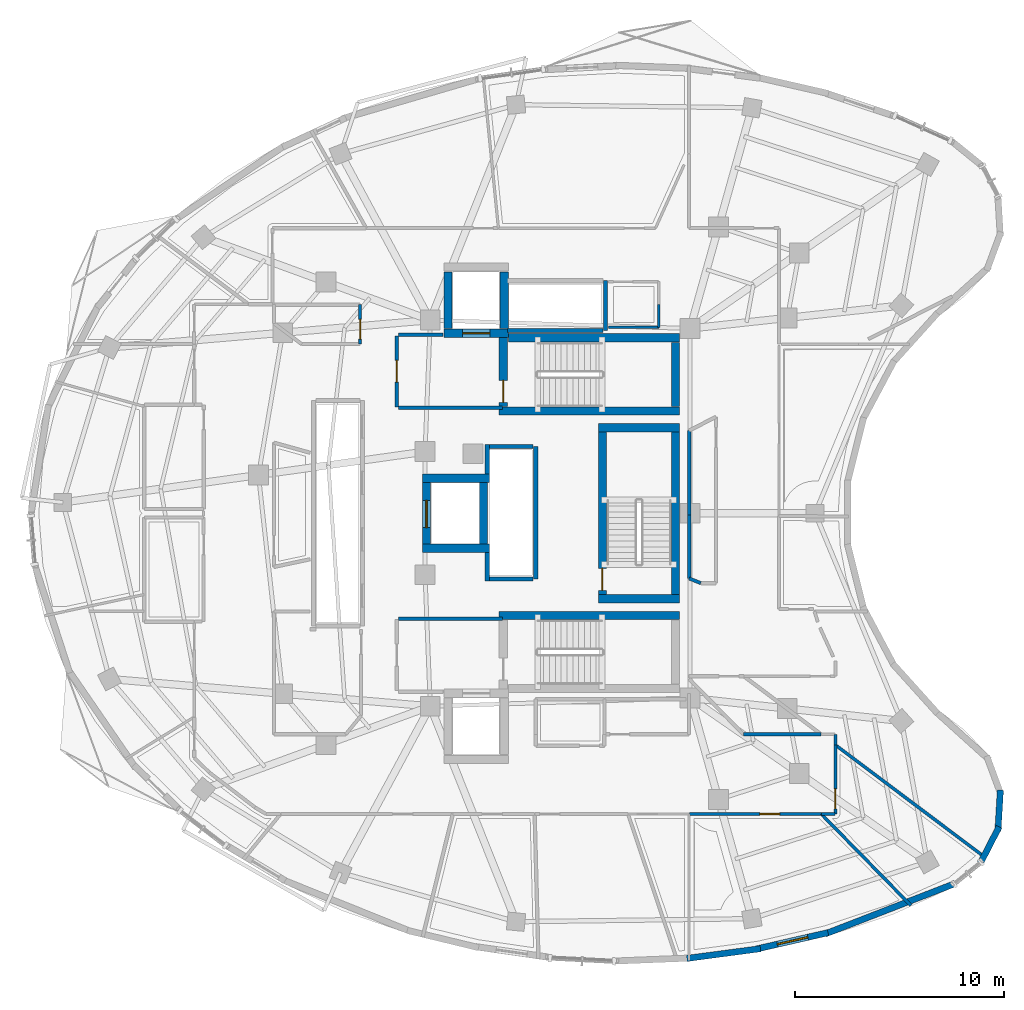
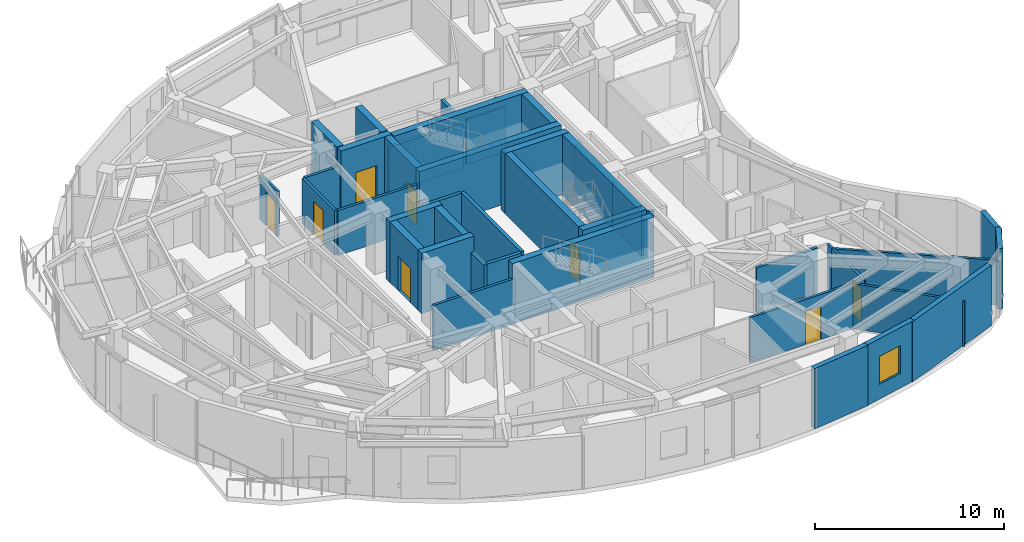
# One storey, part 9 of 14: 45 walls, 8 doors, 1 window, 9 openings.
"""IFC4 building model written with IfcOpenShell, lengths in metres."""

from ifc_helpers import new_model, si_unit, direction, frame, frame_2d, origin, place, context, subcontext, project, spatial, rectangle, extrude, material, layer, layer_set, type_object, element, fill, save


model = new_model("IFC4")

# Units and contexts
model_context = context("Model", 3, precision=1e-05, world=origin(), true_north=direction((0.0, 1.0)))
body_context = subcontext(model_context, "Body", "Model", "MODEL_VIEW")
ifc_project = project(units=[si_unit("LENGTHUNIT", "METRE"), si_unit("AREAUNIT", "SQUARE_METRE"), si_unit("VOLUMEUNIT", "CUBIC_METRE"), si_unit("PLANEANGLEUNIT", "RADIAN"), si_unit("MASSUNIT", "GRAM", prefix="KILO")], contexts=[model_context])

# Site, building, storey
site_placement = place(None, origin())
site = spatial("IfcSite", under=ifc_project, at=site_placement, CompositionType="ELEMENT")
building_placement = place(site_placement, origin())
building = spatial("IfcBuilding", under=site, at=building_placement, Name="Korentha Bioscience Tower", CompositionType="ELEMENT")
storey_placement = place(building_placement, frame((0.0, 0.0, 252.0)))
storey = spatial("IfcBuildingStorey", under=building, at=storey_placement, Name="L58", CompositionType="ELEMENT", Elevation=252.0)

# Wall, opening, door
ifc_material_1 = material(Name="Double-Stud Acoustic Gypsum", Category="gypsum")
ifc_layer_1 = layer(ifc_material_1, 0.14990234375, Name="Double-Stud Acoustic Gypsum")
ifc_layer_set_1 = layer_set([ifc_layer_1], Name="Double-Stud Acoustic Gypsum (IW-L150)")
wall_type_1 = type_object("IfcWallType", Name="Acoustic Laboratory Partition Wall 150", PredefinedType="PARTITIONING", material=ifc_layer_set_1)
wall_1_placement = place(storey_placement, frame((37.508056640625, 12.590087890625, 0.0), z_axis=(0.0, 0.0, 1.0), x_axis=(1.0, 0.0, 0.0)))
wall_1 = element("IfcWall", 1, at=wall_1_placement, inside=storey, type_object=wall_type_1, Name="L58 Daylight Break and Coffee Bar 09 Entrance Wall", PredefinedType="PARTITIONING", context=body_context, shape_type="SweptSolid", body=[
    extrude(rectangle(XDim=6.325439453125, YDim=0.14990234375, at=frame_2d((3.16259765625, 0.0))), origin(), (0.0, 0.0, 1.0), 2.909912109375),
])
opening_1_placement = place(wall_1_placement, frame((3.37744140625, 0.0, 0.0)))
opening_1 = element("IfcOpeningElement", 2, at=opening_1_placement, cuts=wall_1, Name="Opening ID-10L", PredefinedType="OPENING", context=body_context, shape_type="SweptSolid", body=[
    extrude(rectangle(XDim=0.949951171875, YDim=2.14990234375, at=frame_2d((0.47509765625, 1.074951171875))), frame((0.0, 0.08984375, 0.0), z_axis=(0.0, -1.0, 0.0), x_axis=(1.0, 0.0, 0.0)), (0.0, 0.0, 1.0), 0.1796875),
])
ifc_material_2 = material(Name="Phenolic Laminate Timber Core", Category="wood")
door_type_1 = type_object("IfcDoorType", Name="Laboratory Single Leaf Door 950x2150 Left", OperationType="SINGLE_SWING_LEFT", PredefinedType="DOOR", material=ifc_material_2)
door_1_placement = place(opening_1_placement, origin())
door_1 = element("IfcDoor", 3, at=door_1_placement, inside=storey, type_object=door_type_1, Name="L58 Daylight Break and Coffee Bar 09 Door", OperationType="SINGLE_SWING_LEFT", OverallHeight=2.14990234375, OverallWidth=0.949951171875, PredefinedType="DOOR", context=body_context, shape_type="SweptSolid", body=[
    extrude(rectangle(XDim=0.949951171875, YDim=2.14990234375, at=frame_2d((0.47509765625, 1.074951171875))), frame((0.0, 0.02490234375, 0.0), z_axis=(0.0, -1.0, 0.0), x_axis=(1.0, 0.0, 0.0)), (0.0, 0.0, 1.0), 0.050048828125),
])
fill(opening_1, door_1)

wall_2_placement = place(storey_placement, frame((44.510009765625, 12.60009765625, 0.0), z_axis=(0.0, 0.0, 1.0), x_axis=(0.0, 1.0, 0.0)))
wall_2 = element("IfcWall", 4, at=wall_2_placement, inside=storey, type_object=wall_type_1, Name="L58 Immunology Flow-Cytometry Laboratory 11 Entrance Wall", PredefinedType="PARTITIONING", context=body_context, shape_type="SweptSolid", body=[
    extrude(rectangle(XDim=3.296630859375, YDim=0.14990234375, at=frame_2d((1.6484375, 0.0))), origin(), (0.0, 0.0, 1.0), 2.909912109375),
])
opening_2_placement = place(wall_2_placement, frame((0.239990234375, 0.0, 0.0)))
opening_2 = element("IfcOpeningElement", 5, at=opening_2_placement, cuts=wall_2, Name="Opening ID-10L", PredefinedType="OPENING", context=body_context, shape_type="SweptSolid", body=[
    extrude(rectangle(XDim=0.949951171875, YDim=2.14990234375, at=frame_2d((0.47509765625, 1.074951171875))), frame((0.0, 0.08984375, 0.0), z_axis=(0.0, -1.0, 0.0), x_axis=(1.0, 0.0, 0.0)), (0.0, 0.0, 1.0), 0.1796875),
])
door_2_placement = place(opening_2_placement, origin())
door_2 = element("IfcDoor", 6, at=door_2_placement, inside=storey, type_object=door_type_1, Name="L58 Immunology Flow-Cytometry Laboratory 11 Door", OperationType="SINGLE_SWING_LEFT", OverallHeight=2.14990234375, OverallWidth=0.949951171875, PredefinedType="DOOR", context=body_context, shape_type="SweptSolid", body=[
    extrude(rectangle(XDim=0.949951171875, YDim=2.14990234375, at=frame_2d((0.47509765625, 1.074951171875))), frame((0.0, 0.02490234375, 0.0), z_axis=(0.0, -1.0, 0.0), x_axis=(1.0, 0.0, 0.0)), (0.0, 0.0, 1.0), 0.050048828125),
])
fill(opening_2, door_2)

wall_3_placement = place(storey_placement, frame((21.739990234375, 36.989990234375, 0.0), z_axis=(0.0, 0.0, 1.0), x_axis=(0.0, -1.0, 0.0)))
wall_3 = element("IfcWall", 7, at=wall_3_placement, inside=storey, type_object=wall_type_1, Name="L58 Immunology Flow-Cytometry Laboratory 20 Entrance Wall", PredefinedType="PARTITIONING", context=body_context, shape_type="SweptSolid", body=[
    extrude(rectangle(XDim=1.887939453125, YDim=0.14990234375, at=frame_2d((0.94384765625, 0.0))), origin(), (0.0, 0.0, 1.0), 2.909912109375),
])
opening_3_placement = place(wall_3_placement, frame((0.697998046875, 0.0, 0.0)))
opening_3 = element("IfcOpeningElement", 8, at=opening_3_placement, cuts=wall_3, Name="Opening ID-10R", PredefinedType="OPENING", context=body_context, shape_type="SweptSolid", body=[
    extrude(rectangle(XDim=0.949951171875, YDim=2.14990234375, at=frame_2d((0.47509765625, 1.074951171875))), frame((0.0, 0.08984375, 0.0), z_axis=(0.0, -1.0, 0.0), x_axis=(1.0, 0.0, 0.0)), (0.0, 0.0, 1.0), 0.1796875),
])
door_type_2 = type_object("IfcDoorType", Name="Laboratory Single Leaf Door 950x2150 Right", OperationType="SINGLE_SWING_RIGHT", PredefinedType="DOOR", material=ifc_material_2)
door_3_placement = place(opening_3_placement, origin())
door_3 = element("IfcDoor", 9, at=door_3_placement, inside=storey, type_object=door_type_2, Name="L58 Immunology Flow-Cytometry Laboratory 20 Door", OperationType="SINGLE_SWING_RIGHT", OverallHeight=2.14990234375, OverallWidth=0.949951171875, PredefinedType="DOOR", context=body_context, shape_type="SweptSolid", body=[
    extrude(rectangle(XDim=0.949951171875, YDim=2.14990234375, at=frame_2d((0.47509765625, 1.074951171875))), frame((0.0, 0.02490234375, 0.0), z_axis=(0.0, -1.0, 0.0), x_axis=(1.0, 0.0, 0.0)), (0.0, 0.0, 1.0), 0.050048828125),
])
fill(opening_3, door_3)

# Walls
wall_4_placement = place(storey_placement, frame((43.83349609375, 12.590087890625, 0.0), z_axis=(0.0, 0.0, 1.0), x_axis=(0.699668373954, -0.714467750489, 0.0)))
element("IfcWall", 10, at=wall_4_placement, inside=storey, type_object=wall_type_1, Name="L58 Interior Partition 066", PredefinedType="PARTITIONING", context=body_context, shape_type="SweptSolid", body=[
    extrude(rectangle(XDim=6.13671875, YDim=0.14990234375, at=frame_2d((3.068359375, 0.0))), origin(), (0.0, 0.0, 1.0), 2.909912109375),
])
wall_5_placement = place(storey_placement, frame((43.84765625, 12.590087890625, 0.0), z_axis=(0.0, 0.0, 1.0), x_axis=(1.0, 0.0, 0.0)))
element("IfcWall", 11, at=wall_5_placement, inside=storey, type_object=wall_type_1, Name="L58 Interior Partition 070", PredefinedType="PARTITIONING", context=body_context, shape_type="SweptSolid", body=[
    extrude(rectangle(XDim=0.65234375, YDim=0.14990234375, at=frame_2d((0.326171875, 0.0))), origin(), (0.0, 0.0, 1.0), 2.909912109375),
])
wall_6_placement = place(storey_placement, frame((44.510009765625, 15.896728515625, 0.0), z_axis=(0.0, 0.0, 1.0), x_axis=(0.79968453469, -0.600420390209, 0.0)))
element("IfcWall", 12, at=wall_6_placement, inside=storey, type_object=wall_type_1, Name="L58 Interior Partition 071", PredefinedType="PARTITIONING", context=body_context, shape_type="SweptSolid", body=[
    extrude(rectangle(XDim=9.011474609375, YDim=0.14990234375, at=frame_2d((4.505859375, 0.0))), origin(), (0.0, 0.0, 1.0), 2.909912109375),
])
ifc_material_3 = material(Name="Insulated Aluminium Honeycomb Panel", Category="aluminium")
ifc_layer_2 = layer(ifc_material_3, 0.139892578125, Name="Insulated Aluminium Honeycomb Panel")
ifc_layer_set_2 = layer_set([ifc_layer_2], Name="Insulated Aluminium Honeycomb Panel (IW-F60)")
wall_type_2 = type_object("IfcWallType", Name="Cleanroom Flush Metal Panel Partition 140", PredefinedType="PARTITIONING", material=ifc_layer_set_2)
wall_7_placement = place(storey_placement, frame((44.510009765625, 15.90673828125, 0.0), z_axis=(0.0, 0.0, 1.0), x_axis=(0.0, 1.0, 0.0)))
element("IfcWall", 13, at=wall_7_placement, inside=storey, type_object=wall_type_2, Name="L58 Interior Partition 072", PredefinedType="PARTITIONING", context=body_context, shape_type="SweptSolid", body=[
    extrude(rectangle(XDim=0.4931640625, YDim=0.139892578125, at=frame_2d((0.24658203125, 0.0))), origin(), (0.0, 0.0, 1.0), 2.909912109375),
])

# Wall, opening, door
ifc_material_4 = material(Name="Gypsum-Clad Steel Stud", Category="steel")
ifc_layer_3 = layer(ifc_material_4, 0.159912109375, Name="Gypsum-Clad Steel Stud")
ifc_layer_set_3 = layer_set([ifc_layer_3], Name="Gypsum-Clad Steel Stud (IW-C160)")
wall_type_3 = type_object("IfcWallType", Name="Fire-Rated Corridor Partition Wall 160", PredefinedType="PARTITIONING", material=ifc_layer_set_3)
wall_8_placement = place(storey_placement, frame((23.5, 32.10009765625, 0.0), z_axis=(0.0, 0.0, 1.0), x_axis=(0.0, 1.0, 0.0)))
wall_8 = element("IfcWall", 14, at=wall_8_placement, inside=storey, type_object=wall_type_3, Name="L58 FFLN-CW Rated Enclosure Wall", PredefinedType="PARTITIONING", context=body_context, shape_type="SweptSolid", body=[
    extrude(rectangle(XDim=3.39990234375, YDim=0.159912109375, at=frame_2d((1.699951171875, 0.0))), origin(), (0.0, 0.0, 1.0), 2.909912109375),
])
opening_4_placement = place(wall_8_placement, frame((1.175048828125, 0.0, 0.0)))
opening_4 = element("IfcOpeningElement", 15, at=opening_4_placement, cuts=wall_8, Name="Opening FD-90L", PredefinedType="OPENING", context=body_context, shape_type="SweptSolid", body=[
    extrude(rectangle(XDim=1.050048828125, YDim=2.14990234375, at=frame_2d((0.52490234375, 1.074951171875))), frame((0.0, 0.0947265625, 0.0), z_axis=(0.0, -1.0, 0.0), x_axis=(1.0, 0.0, 0.0)), (0.0, 0.0, 1.0), 0.189697265625),
])
ifc_material_5 = material(Name="Powder-Coated Fire-Rated Steel", Category="steel")
door_type_3 = type_object("IfcDoorType", Name="Stairwell Fire Exit Door 1050x2150 Left", OperationType="SINGLE_SWING_LEFT", PredefinedType="DOOR", material=ifc_material_5)
door_4_placement = place(opening_4_placement, origin())
door_4 = element("IfcDoor", 16, at=door_4_placement, inside=storey, type_object=door_type_3, Name="L58 North Firefighting Lobby Door", OperationType="SINGLE_SWING_LEFT", OverallHeight=2.14990234375, OverallWidth=1.050048828125, PredefinedType="DOOR", context=body_context, shape_type="SweptSolid", body=[
    extrude(rectangle(XDim=1.050048828125, YDim=2.14990234375, at=frame_2d((0.52490234375, 1.074951171875))), frame((0.0, 0.02490234375, 0.0), z_axis=(0.0, -1.0, 0.0), x_axis=(1.0, 0.0, 0.0)), (0.0, 0.0, 1.0), 0.050048828125),
])
fill(opening_4, door_4)

# Walls
wall_9_placement = place(storey_placement, frame((23.580078125, 32.050048828125, 0.0), z_axis=(0.0, 0.0, 1.0), x_axis=(1.0, 0.0, 0.0)))
element("IfcWall", 17, at=wall_9_placement, inside=storey, type_object=wall_type_3, Name="L58 Firefighting Lobby Return Wall FFLN-S", PredefinedType="PARTITIONING", context=body_context, shape_type="SweptSolid", body=[
    extrude(rectangle(XDim=4.969970703125, YDim=0.159912109375, at=frame_2d((2.48486328125, 0.0))), origin(), (0.0, 0.0, 1.0), 2.909912109375),
])
wall_10_placement = place(storey_placement, frame((23.580078125, 35.550048828125, 0.0), z_axis=(0.0, 0.0, 1.0), x_axis=(1.0, 0.0, 0.0)))
element("IfcWall", 18, at=wall_10_placement, inside=storey, type_object=wall_type_3, Name="L58 Firefighting Lobby Return Wall FFLN-N", PredefinedType="PARTITIONING", context=body_context, shape_type="SweptSolid", body=[
    extrude(rectangle(XDim=2.119873046875, YDim=0.159912109375, at=frame_2d((1.06005859375, 0.0))), origin(), (0.0, 0.0, 1.0), 2.909912109375),
])
wall_11_placement = place(storey_placement, frame((23.580078125, 21.949951171875, 0.0), z_axis=(0.0, 0.0, 1.0), x_axis=(1.0, 0.0, 0.0)))
element("IfcWall", 19, at=wall_11_placement, inside=storey, type_object=wall_type_3, Name="L58 Firefighting Lobby Return Wall FFLS-N", PredefinedType="PARTITIONING", context=body_context, shape_type="SweptSolid", body=[
    extrude(rectangle(XDim=4.969970703125, YDim=0.159912109375, at=frame_2d((2.48486328125, 0.0))), origin(), (0.0, 0.0, 1.0), 2.909912109375),
])
wall_12_placement = place(storey_placement, frame((43.826416015625, 16.409912109375, 0.0), z_axis=(0.0, 0.0, 1.0), x_axis=(-1.0, 0.0, 0.0)))
element("IfcWall", 20, at=wall_12_placement, inside=storey, type_object=wall_type_3, Name="L58 Interior Partition 068", PredefinedType="PARTITIONING", context=body_context, shape_type="SweptSolid", body=[
    extrude(rectangle(XDim=3.72802734375, YDim=0.159912109375, at=frame_2d((1.864013671875, 0.0))), origin(), (0.0, 0.0, 1.0), 2.909912109375),
])
wall_13_placement = place(storey_placement, frame((37.501953125, 26.920654296875, 0.0), z_axis=(0.0, 0.0, 1.0), x_axis=(0.0, 1.0, 0.0)))
element("IfcWall", 21, at=wall_13_placement, inside=storey, type_object=wall_type_3, Name="L58 Interior Partition 080", PredefinedType="PARTITIONING", context=body_context, shape_type="SweptSolid", body=[
    extrude(rectangle(XDim=4.03955078125, YDim=0.159912109375, at=frame_2d((2.019775390625, 0.0))), origin(), (0.0, 0.0, 1.0), 2.909912109375),
])
wall_14_placement = place(storey_placement, frame((38.058837890625, 23.652099609375, 0.0), z_axis=(0.0, 0.0, 1.0), x_axis=(-0.92791427864, 0.372793631243, 0.0)))
element("IfcWall", 22, at=wall_14_placement, inside=storey, type_object=wall_type_3, Name="L58 Interior Partition 083", PredefinedType="PARTITIONING", context=body_context, shape_type="SweptSolid", body=[
    extrude(rectangle(XDim=0.599853515625, YDim=0.159912109375, at=frame_2d((0.2998046875, 0.0))), origin(), (0.0, 0.0, 1.0), 2.909912109375),
])
wall_15_placement = place(storey_placement, frame((37.501953125, 23.8759765625, 0.0), z_axis=(0.0, 0.0, 1.0), x_axis=(0.0, 1.0, 0.0)))
element("IfcWall", 23, at=wall_15_placement, inside=storey, type_object=wall_type_3, Name="L58 Interior Partition 084", PredefinedType="PARTITIONING", context=body_context, shape_type="SweptSolid", body=[
    extrude(rectangle(XDim=3.04052734375, YDim=0.159912109375, at=frame_2d((1.520263671875, 0.0))), origin(), (0.0, 0.0, 1.0), 2.909912109375),
])

# Wall, opening, window
ifc_material_6 = material(Name="Honed Limestone Precast Concrete C40", Category="masonry")
ifc_layer_4 = layer(ifc_material_6, 0.300048828125, Name="Honed Limestone Precast Concrete C40")
ifc_layer_set_4 = layer_set([ifc_layer_4], Name="Honed Limestone Precast Concrete C40 (EW-ST300)")
wall_type_4 = type_object("IfcWallType", Name="Honed Limestone Cavity Spandrel Wall 300", PredefinedType="STANDARD", material=ifc_layer_set_4)
wall_16_placement = place(storey_placement, frame((40.763427734375, 6.130615234375, 0.0), z_axis=(0.0, 0.0, 1.0), x_axis=(0.974814062394, 0.223019155589, 0.0)))
wall_16 = element("IfcWall", 24, at=wall_16_placement, inside=storey, type_object=wall_type_4, Name="L58 Honed Limestone Spandrel Wall 34", PredefinedType="STANDARD", context=body_context, shape_type="SweptSolid", body=[
    extrude(rectangle(XDim=3.47900390625, YDim=0.300048828125, at=frame_2d((1.739501953125, 0.0))), origin(), (0.0, 0.0, 1.0), 3.89990234375),
])
opening_5_placement = place(wall_16_placement, frame((0.989501953125, 0.0, 0.949951171875)))
opening_5 = element("IfcOpeningElement", 25, at=opening_5_placement, cuts=wall_16, Name="Opening WN-02", PredefinedType="OPENING", context=body_context, shape_type="SweptSolid", body=[
    extrude(rectangle(XDim=1.5, YDim=1.800048828125, at=frame_2d((0.75, 0.89990234375))), frame((0.0, 0.1650390625, 0.0), z_axis=(0.0, -1.0, 0.0), x_axis=(1.0, 0.0, 0.0)), (0.0, 0.0, 1.0), 0.329833984375),
])
ifc_material_7 = material(Name="Thermally Broken Aluminium Triple Glazing", Category="aluminium")
window_type = type_object("IfcWindowType", Name="Acoustic Operable Office Window 1500x1800", PartitioningType="DOUBLE_PANEL_VERTICAL", PredefinedType="WINDOW", material=ifc_material_7)
window_placement = place(opening_5_placement, origin())
window = element("IfcWindow", 26, at=window_placement, inside=storey, type_object=window_type, Name="L58 Facade Window 34", OverallHeight=1.800048828125, OverallWidth=1.5, PartitioningType="DOUBLE_PANEL_VERTICAL", PredefinedType="WINDOW", context=body_context, shape_type="SweptSolid", body=[
    extrude(rectangle(XDim=1.5, YDim=1.800048828125, at=frame_2d((0.75, 0.89990234375))), frame((0.0, 0.030029296875, 0.0), z_axis=(0.0, -1.0, 0.0), x_axis=(1.0, 0.0, 0.0)), (0.0, 0.0, 1.0), 0.06005859375),
])
fill(opening_5, window)

# Walls
wall_17_placement = place(storey_placement, frame((37.390869140625, 5.670654296875, 0.0), z_axis=(0.0, 0.0, 1.0), x_axis=(0.991358046751, 0.131183928672, 0.0)))
element("IfcWall", 27, at=wall_17_placement, inside=storey, type_object=wall_type_4, Name="L58 Limestone Perimeter Closure Wall 33", PredefinedType="STANDARD", context=body_context, shape_type="SweptSolid", body=[
    extrude(rectangle(XDim=3.558349609375, YDim=0.300048828125, at=frame_2d((1.779296875, 0.0))), origin(), (0.0, 0.0, 1.0), 3.89990234375),
])
wall_18_placement = place(storey_placement, frame((44.006591796875, 6.838623046875, 0.0), z_axis=(0.0, 0.0, 1.0), x_axis=(0.932143156112, 0.362089956383, 0.0)))
element("IfcWall", 28, at=wall_18_placement, inside=storey, type_object=wall_type_4, Name="L58 Limestone Perimeter Closure Wall 35", PredefinedType="STANDARD", context=body_context, shape_type="SweptSolid", body=[
    extrude(rectangle(XDim=6.679931640625, YDim=0.300048828125, at=frame_2d((3.33984375, 0.0))), origin(), (0.0, 0.0, 1.0), 3.89990234375),
])
wall_19_placement = place(storey_placement, frame((51.45263671875, 10.227783203125, 0.0), z_axis=(0.0, 0.0, 1.0), x_axis=(0.45760880089, 0.889153634277, 0.0)))
element("IfcWall", 29, at=wall_19_placement, inside=storey, type_object=wall_type_4, Name="L58 Limestone Perimeter Closure Wall 38", PredefinedType="STANDARD", context=body_context, shape_type="SweptSolid", body=[
    extrude(rectangle(XDim=1.967041015625, YDim=0.300048828125, at=frame_2d((0.9833984375, 0.0))), origin(), (0.0, 0.0, 1.0), 3.89990234375),
])
wall_20_placement = place(storey_placement, frame((52.2958984375, 11.770263671875, 0.0), z_axis=(0.0, 0.0, 1.0), x_axis=(0.060191547909, 0.998186845015, 0.0)))
element("IfcWall", 30, at=wall_20_placement, inside=storey, type_object=wall_type_4, Name="L58 Limestone Perimeter Closure Wall 39", PredefinedType="STANDARD", context=body_context, shape_type="SweptSolid", body=[
    extrude(rectangle(XDim=1.96728515625, YDim=0.300048828125, at=frame_2d((0.983642578125, 0.0))), origin(), (0.0, 0.0, 1.0), 3.89990234375),
])
ifc_material_8 = material(Name="Autoclaved Aerated Concrete Block C25", Category="concrete")
ifc_layer_5 = layer(ifc_material_8, 0.199951171875, Name="Autoclaved Aerated Concrete Block C25")
ifc_layer_set_5 = layer_set([ifc_layer_5], Name="Autoclaved Aerated Concrete Block C25 (IW-S200)")
wall_type_5 = type_object("IfcWallType", Name="Lift and Riser Shaft Enclosure Wall 200", PredefinedType="PARTITIONING", material=ifc_layer_set_5)
wall_21_placement = place(storey_placement, frame((27.830078125, 23.75, 0.0), z_axis=(0.0, 0.0, 1.0), x_axis=(0.0, 1.0, 0.0)))
element("IfcWall", 31, at=wall_21_placement, inside=storey, type_object=wall_type_5, Name="L58 Lift Bank HIGH Shaft Wall -XS", PredefinedType="PARTITIONING", context=body_context, shape_type="SweptSolid", body=[
    extrude(rectangle(XDim=1.365966796875, YDim=0.199951171875, at=frame_2d((0.68310546875, 0.0))), origin(), (0.0, 0.0, 1.0), 2.909912109375),
])
wall_22_placement = place(storey_placement, frame((27.830078125, 28.884033203125, 0.0), z_axis=(0.0, 0.0, 1.0), x_axis=(0.0, 1.0, 0.0)))
element("IfcWall", 32, at=wall_22_placement, inside=storey, type_object=wall_type_5, Name="L58 Lift Bank HIGH Shaft Wall -XN", PredefinedType="PARTITIONING", context=body_context, shape_type="SweptSolid", body=[
    extrude(rectangle(XDim=1.416015625, YDim=0.199951171875, at=frame_2d((0.7080078125, 0.0))), origin(), (0.0, 0.0, 1.0), 2.909912109375),
])
wall_23_placement = place(storey_placement, frame((30.14990234375, 23.85009765625, 0.0), z_axis=(0.0, 0.0, 1.0), x_axis=(0.0, 1.0, 0.0)))
element("IfcWall", 33, at=wall_23_placement, inside=storey, type_object=wall_type_5, Name="L58 Lift Bank HIGH Shaft Wall +X", PredefinedType="PARTITIONING", context=body_context, shape_type="SweptSolid", body=[
    extrude(rectangle(XDim=6.349853515625, YDim=0.199951171875, at=frame_2d((3.1748046875, 0.0))), origin(), (0.0, 0.0, 1.0), 2.909912109375),
])
for number, where, z_axis, x_axis, name in (
    (34, (27.93408203125, 23.85009765625, 0.0), (0.0, 0.0, 1.0), (1.0, 0.0, 0.0), "L58 Lift Bank HIGH Shaft Wall -Y"),
    (35, (27.93408203125, 30.199951171875, 0.0), (0.0, 0.0, 1.0), (1.0, 0.0, 0.0), "L58 Lift Bank HIGH Shaft Wall +Y"),
):
    element("IfcWall", number, at=place(storey_placement, frame(where, z_axis=z_axis, x_axis=x_axis)), inside=storey, type_object=wall_type_5, Name=name, PredefinedType="PARTITIONING", context=body_context, shape_type="SweptSolid", body=[
        extrude(rectangle(XDim=2.095947265625, YDim=0.199951171875, at=frame_2d((1.0478515625, 0.0))), origin(), (0.0, 0.0, 1.0), 2.909912109375),
    ])
wall_24_placement = place(storey_placement, frame((33.489990234375, 35.760009765625, 0.0), z_axis=(0.0, 0.0, 1.0), x_axis=(0.0, 1.0, 0.0)))
element("IfcWall", 36, at=wall_24_placement, inside=storey, type_object=wall_type_5, Name="L58 Lift Bank OBS Shaft Wall +X", PredefinedType="PARTITIONING", context=body_context, shape_type="SweptSolid", body=[
    extrude(rectangle(XDim=2.3798828125, YDim=0.199951171875, at=frame_2d((1.18994140625, 0.0))), origin(), (0.0, 0.0, 1.0), 2.909912109375),
])
wall_25_placement = place(storey_placement, frame((28.800048828125, 35.760009765625, 0.0), z_axis=(0.0, 0.0, 1.0), x_axis=(1.0, 0.0, 0.0)))
element("IfcWall", 37, at=wall_25_placement, inside=storey, type_object=wall_type_5, Name="L58 Lift Bank OBS Shaft Wall -Y", PredefinedType="PARTITIONING", context=body_context, shape_type="SweptSolid", body=[
    extrude(rectangle(XDim=4.570068359375, YDim=0.199951171875, at=frame_2d((2.28515625, 0.0))), origin(), (0.0, 0.0, 1.0), 2.909912109375),
])
ifc_material_9 = material(Name="Concrete C65", Category="concrete")
ifc_layer_6 = layer(ifc_material_9, 0.39990234375, Name="Concrete C65")
ifc_layer_set_6 = layer_set([ifc_layer_6], Name="Concrete C65 (CW-C65)")
wall_type_6 = type_object("IfcWallType", Name="Mid-Rise Core Shear Wall 400", PredefinedType="SHEAR", material=ifc_layer_set_6)
wall_26_placement = place(storey_placement, frame((28.85205078125, 35.39990234375, 0.0), z_axis=(0.0, 0.0, 1.0), x_axis=(1.0, 0.0, 0.0)))
element("IfcWall", 38, at=wall_26_placement, inside=storey, type_object=wall_type_6, Name="L58 Core Shear Wall ST1-N", PredefinedType="SHEAR", context=body_context, shape_type="SweptSolid", body=[
    extrude(rectangle(XDim=8.197998046875, YDim=0.39990234375, at=frame_2d((4.09912109375, 0.0))), origin(), (0.0, 0.0, 1.0), 3.89990234375),
])
wall_27_placement = place(storey_placement, frame((28.39990234375, 31.89990234375, 0.0), z_axis=(0.0, 0.0, 1.0), x_axis=(1.0, 0.0, 0.0)))
element("IfcWall", 39, at=wall_27_placement, inside=storey, type_object=wall_type_6, Name="L58 Core Shear Wall ST1-S", PredefinedType="SHEAR", context=body_context, shape_type="SweptSolid", body=[
    extrude(rectangle(XDim=8.650146484375, YDim=0.39990234375, at=frame_2d((4.3251953125, 0.0))), origin(), (0.0, 0.0, 1.0), 3.89990234375),
])
wall_28_placement = place(storey_placement, frame((36.85009765625, 32.110107421875, 0.0), z_axis=(0.0, 0.0, 1.0), x_axis=(0.0, 1.0, 0.0)))
element("IfcWall", 40, at=wall_28_placement, inside=storey, type_object=wall_type_6, Name="L58 Core Shear Wall ST1-E", PredefinedType="SHEAR", context=body_context, shape_type="SweptSolid", body=[
    extrude(rectangle(XDim=3.079833984375, YDim=0.39990234375, at=frame_2d((1.5400390625, 0.0))), origin(), (0.0, 0.0, 1.0), 3.89990234375),
])

# Wall, opening, door
wall_29_placement = place(storey_placement, frame((28.60009765625, 32.110107421875, 0.0), z_axis=(0.0, 0.0, 1.0), x_axis=(0.0, 1.0, 0.0)))
wall_29 = element("IfcWall", 41, at=wall_29_placement, inside=storey, type_object=wall_type_6, Name="L58 Core Shear Wall ST1-W", PredefinedType="SHEAR", context=body_context, shape_type="SweptSolid", body=[
    extrude(rectangle(XDim=3.307861328125, YDim=0.39990234375, at=frame_2d((1.65380859375, 0.0))), origin(), (0.0, 0.0, 1.0), 3.89990234375),
])
opening_6_placement = place(wall_29_placement, frame((0.199951171875, 0.0, 0.0)))
opening_6 = element("IfcOpeningElement", 42, at=opening_6_placement, cuts=wall_29, Name="Opening FD-90L", PredefinedType="OPENING", context=body_context, shape_type="SweptSolid", body=[
    extrude(rectangle(XDim=1.050048828125, YDim=2.14990234375, at=frame_2d((0.52490234375, 1.074951171875))), frame((0.0, 0.21484375, 0.0), z_axis=(0.0, -1.0, 0.0), x_axis=(1.0, 0.0, 0.0)), (0.0, 0.0, 1.0), 0.4296875),
])
door_5_placement = place(opening_6_placement, origin())
door_5 = element("IfcDoor", 43, at=door_5_placement, inside=storey, type_object=door_type_3, Name="L58 ST-1 Fire Exit Stair Door", OperationType="SINGLE_SWING_LEFT", OverallHeight=2.14990234375, OverallWidth=1.050048828125, PredefinedType="DOOR", context=body_context, shape_type="SweptSolid", body=[
    extrude(rectangle(XDim=1.050048828125, YDim=2.14990234375, at=frame_2d((0.52490234375, 1.074951171875))), frame((0.0, 0.02490234375, 0.0), z_axis=(0.0, -1.0, 0.0), x_axis=(1.0, 0.0, 0.0)), (0.0, 0.0, 1.0), 0.050048828125),
])
fill(opening_6, door_5)

# Walls
wall_30_placement = place(storey_placement, frame((28.39990234375, 22.10009765625, 0.0), z_axis=(0.0, 0.0, 1.0), x_axis=(1.0, 0.0, 0.0)))
element("IfcWall", 44, at=wall_30_placement, inside=storey, type_object=wall_type_6, Name="L58 Core Shear Wall ST2-N", PredefinedType="SHEAR", context=body_context, shape_type="SweptSolid", body=[
    extrude(rectangle(XDim=8.650146484375, YDim=0.39990234375, at=frame_2d((4.3251953125, 0.0))), origin(), (0.0, 0.0, 1.0), 3.89990234375),
])
for number, where, z_axis, x_axis, name in (
    (45, (33.14990234375, 31.10009765625, 0.0), (0.0, 0.0, 1.0), (1.0, 0.0, 0.0), "L58 Core Shear Wall ST3-N"),
    (46, (33.14990234375, 22.89990234375, 0.0), (0.0, 0.0, 1.0), (1.0, 0.0, 0.0), "L58 Core Shear Wall ST3-S"),
):
    element("IfcWall", number, at=place(storey_placement, frame(where, z_axis=z_axis, x_axis=x_axis)), inside=storey, type_object=wall_type_6, Name=name, PredefinedType="SHEAR", context=body_context, shape_type="SweptSolid", body=[
        extrude(rectangle(XDim=3.900146484375, YDim=0.39990234375, at=frame_2d((1.9501953125, 0.0))), origin(), (0.0, 0.0, 1.0), 3.89990234375),
    ])
wall_31_placement = place(storey_placement, frame((36.85009765625, 23.110107421875, 0.0), z_axis=(0.0, 0.0, 1.0), x_axis=(0.0, 1.0, 0.0)))
element("IfcWall", 47, at=wall_31_placement, inside=storey, type_object=wall_type_6, Name="L58 Core Shear Wall ST3-E", PredefinedType="SHEAR", context=body_context, shape_type="SweptSolid", body=[
    extrude(rectangle(XDim=7.77978515625, YDim=0.39990234375, at=frame_2d((3.889892578125, 0.0))), origin(), (0.0, 0.0, 1.0), 3.89990234375),
])

# Wall, opening, door
wall_32_placement = place(storey_placement, frame((33.35009765625, 23.110107421875, 0.0), z_axis=(0.0, 0.0, 1.0), x_axis=(0.0, 1.0, 0.0)))
wall_32 = element("IfcWall", 48, at=wall_32_placement, inside=storey, type_object=wall_type_6, Name="L58 Core Shear Wall ST3-W", PredefinedType="SHEAR", context=body_context, shape_type="SweptSolid", body=[
    extrude(rectangle(XDim=7.77978515625, YDim=0.39990234375, at=frame_2d((3.889892578125, 0.0))), origin(), (0.0, 0.0, 1.0), 3.89990234375),
])
opening_7_placement = place(wall_32_placement, frame((0.199951171875, 0.0, 0.0)))
opening_7 = element("IfcOpeningElement", 49, at=opening_7_placement, cuts=wall_32, Name="Opening FD-90L", PredefinedType="OPENING", context=body_context, shape_type="SweptSolid", body=[
    extrude(rectangle(XDim=1.050048828125, YDim=2.14990234375, at=frame_2d((0.52490234375, 1.074951171875))), frame((0.0, 0.21484375, 0.0), z_axis=(0.0, -1.0, 0.0), x_axis=(1.0, 0.0, 0.0)), (0.0, 0.0, 1.0), 0.4296875),
])
door_6_placement = place(opening_7_placement, origin())
door_6 = element("IfcDoor", 50, at=door_6_placement, inside=storey, type_object=door_type_3, Name="L58 ST-3 Fire Exit Stair Door", OperationType="SINGLE_SWING_LEFT", OverallHeight=2.14990234375, OverallWidth=1.050048828125, PredefinedType="DOOR", context=body_context, shape_type="SweptSolid", body=[
    extrude(rectangle(XDim=1.050048828125, YDim=2.14990234375, at=frame_2d((0.52490234375, 1.074951171875))), frame((0.0, 0.02490234375, 0.0), z_axis=(0.0, -1.0, 0.0), x_axis=(1.0, 0.0, 0.0)), (0.0, 0.0, 1.0), 0.050048828125),
])
fill(opening_7, door_6)

wall_33_placement = place(storey_placement, frame((25.75, 35.6201171875, 0.0), z_axis=(0.0, 0.0, 1.0), x_axis=(1.0, 0.0, 0.0)))
wall_33 = element("IfcWall", 51, at=wall_33_placement, inside=storey, type_object=wall_type_6, Name="L58 Core Shear Wall FFL2-S", PredefinedType="SHEAR", context=body_context, shape_type="SweptSolid", body=[
    extrude(rectangle(XDim=3.10009765625, YDim=0.39990234375, at=frame_2d((1.550048828125, 0.0))), origin(), (0.0, 0.0, 1.0), 3.89990234375),
])
opening_8_placement = place(wall_33_placement, frame((0.89990234375, 0.0, 0.0)))
opening_8 = element("IfcOpeningElement", 52, at=opening_8_placement, cuts=wall_33, Name="Opening LD-13", PredefinedType="OPENING", context=body_context, shape_type="SweptSolid", body=[
    extrude(rectangle(XDim=1.300048828125, YDim=2.199951171875, at=frame_2d((0.64990234375, 1.10009765625))), frame((0.0, 0.21484375, 0.0), z_axis=(0.0, -1.0, 0.0), x_axis=(1.0, 0.0, 0.0)), (0.0, 0.0, 1.0), 0.4296875),
])
ifc_material_10 = material(Name="Brushed Stainless Steel 316", Category="steel")
door_type_4 = type_object("IfcDoorType", Name="Service & Firefighting Lift Landing Door 1300x2300", OperationType="DOUBLE_DOOR_SLIDING", PredefinedType="DOOR", material=ifc_material_10)
door_7_placement = place(opening_8_placement, origin())
door_7 = element("IfcDoor", 53, at=door_7_placement, inside=storey, type_object=door_type_4, Name="L58 FFL-2 Sliding Lift Landing Door", OperationType="DOUBLE_DOOR_SLIDING", OverallHeight=2.199951171875, OverallWidth=1.300048828125, PredefinedType="DOOR", context=body_context, shape_type="SweptSolid", body=[
    extrude(rectangle(XDim=1.300048828125, YDim=2.199951171875, at=frame_2d((0.64990234375, 1.10009765625))), frame((0.0, 0.02490234375, 0.0), z_axis=(0.0, -1.0, 0.0), x_axis=(1.0, 0.0, 0.0)), (0.0, 0.0, 1.0), 0.050048828125),
])
fill(opening_8, door_7)

# Walls
for number, where, z_axis, x_axis, name in (
    (54, (25.949951171875, 35.860107421875, 0.0), (0.0, 0.0, 1.0), (0.0, 1.0, 0.0), "L58 Core Shear Wall FFL2-W"),
    (55, (28.64990234375, 35.860107421875, 0.0), (0.0, 0.0, 1.0), (0.0, 1.0, 0.0), "L58 Core Shear Wall FFL2-E"),
):
    element("IfcWall", number, at=place(storey_placement, frame(where, z_axis=z_axis, x_axis=x_axis)), inside=storey, type_object=wall_type_6, Name=name, PredefinedType="SHEAR", context=body_context, shape_type="SweptSolid", body=[
        extrude(rectangle(XDim=2.699951171875, YDim=0.39990234375, at=frame_2d((1.35009765625, 0.0))), origin(), (0.0, 0.0, 1.0), 3.89990234375),
    ])
for number, where, z_axis, x_axis, name in (
    (56, (24.719970703125, 28.679931640625, 0.0), (0.0, 0.0, 1.0), (1.0, 0.0, 0.0), "L58 Core Shear Wall SVL1-N"),
    (57, (24.719970703125, 25.320068359375, 0.0), (0.0, 0.0, 1.0), (1.0, 0.0, 0.0), "L58 Core Shear Wall SVL1-S"),
):
    element("IfcWall", number, at=place(storey_placement, frame(where, z_axis=z_axis, x_axis=x_axis)), inside=storey, type_object=wall_type_6, Name=name, PredefinedType="SHEAR", context=body_context, shape_type="SweptSolid", body=[
        extrude(rectangle(XDim=3.2099609375, YDim=0.39990234375, at=frame_2d((1.60498046875, 0.0))), origin(), (0.0, 0.0, 1.0), 3.89990234375),
    ])

# Wall, opening, door
wall_34_placement = place(storey_placement, frame((24.919921875, 25.52197265625, 0.0), z_axis=(0.0, 0.0, 1.0), x_axis=(0.0, 1.0, 0.0)))
wall_34 = element("IfcWall", 58, at=wall_34_placement, inside=storey, type_object=wall_type_6, Name="L58 Core Shear Wall SVL1-W", PredefinedType="SHEAR", context=body_context, shape_type="SweptSolid", body=[
    extrude(rectangle(XDim=2.9560546875, YDim=0.39990234375, at=frame_2d((1.47802734375, 0.0))), origin(), (0.0, 0.0, 1.0), 3.89990234375),
])
opening_9_placement = place(wall_34_placement, frame((0.7900390625, 0.0, 0.0)))
opening_9 = element("IfcOpeningElement", 59, at=opening_9_placement, cuts=wall_34, Name="Opening LD-13", PredefinedType="OPENING", context=body_context, shape_type="SweptSolid", body=[
    extrude(rectangle(XDim=1.300048828125, YDim=2.199951171875, at=frame_2d((0.64990234375, 1.10009765625))), frame((0.0, 0.21484375, 0.0), z_axis=(0.0, -1.0, 0.0), x_axis=(1.0, 0.0, 0.0)), (0.0, 0.0, 1.0), 0.4296875),
])
door_8_placement = place(opening_9_placement, origin())
door_8 = element("IfcDoor", 60, at=door_8_placement, inside=storey, type_object=door_type_4, Name="L58 SVL-1 Sliding Lift Landing Door", OperationType="DOUBLE_DOOR_SLIDING", OverallHeight=2.199951171875, OverallWidth=1.300048828125, PredefinedType="DOOR", context=body_context, shape_type="SweptSolid", body=[
    extrude(rectangle(XDim=1.300048828125, YDim=2.199951171875, at=frame_2d((0.64990234375, 1.10009765625))), frame((0.0, 0.02490234375, 0.0), z_axis=(0.0, -1.0, 0.0), x_axis=(1.0, 0.0, 0.0)), (0.0, 0.0, 1.0), 0.050048828125),
])
fill(opening_9, door_8)

# Walls
wall_35_placement = place(storey_placement, frame((27.64990234375, 25.52197265625, 0.0), z_axis=(0.0, 0.0, 1.0), x_axis=(0.0, 1.0, 0.0)))
element("IfcWall", 61, at=wall_35_placement, inside=storey, type_object=wall_type_6, Name="L58 Core Shear Wall SVL1-E", PredefinedType="SHEAR", context=body_context, shape_type="SweptSolid", body=[
    extrude(rectangle(XDim=2.9560546875, YDim=0.39990234375, at=frame_2d((1.47802734375, 0.0))), origin(), (0.0, 0.0, 1.0), 3.89990234375),
])
ifc_material_11 = material(Name="Cement-Board Steel Stud", Category="steel")
ifc_layer_7 = layer(ifc_material_11, 0.1298828125, Name="Cement-Board Steel Stud")
ifc_layer_set_7 = layer_set([ifc_layer_7], Name="Cement-Board Steel Stud (IW-W130)")
wall_type_7 = type_object("IfcWallType", Name="Wet-Area Moisture-Resistant Partition 130", PredefinedType="PARTITIONING", material=ifc_layer_set_7)
wall_36_placement = place(storey_placement, frame((36.050048828125, 35.909912109375, 0.0), z_axis=(0.0, 0.0, 1.0), x_axis=(-1.0, 0.0, 0.0)))
element("IfcWall", 62, at=wall_36_placement, inside=storey, type_object=wall_type_7, Name="L58 Interior Partition 033", PredefinedType="PARTITIONING", context=body_context, shape_type="SweptSolid", body=[
    extrude(rectangle(XDim=2.400146484375, YDim=0.1298828125, at=frame_2d((1.2001953125, 0.0))), origin(), (0.0, 0.0, 1.0), 2.909912109375),
])
wall_37_placement = place(storey_placement, frame((36.050048828125, 36.989990234375, 0.0), z_axis=(0.0, 0.0, 1.0), x_axis=(0.0, -1.0, 0.0)))
element("IfcWall", 63, at=wall_37_placement, inside=storey, type_object=wall_type_7, Name="L58 Interior Partition 035", PredefinedType="PARTITIONING", context=body_context, shape_type="SweptSolid", body=[
    extrude(rectangle(XDim=1.080078125, YDim=0.1298828125, at=frame_2d((0.5400390625, 0.0))), origin(), (0.0, 0.0, 1.0), 2.909912109375),
])

save(model, "model.ifc")
